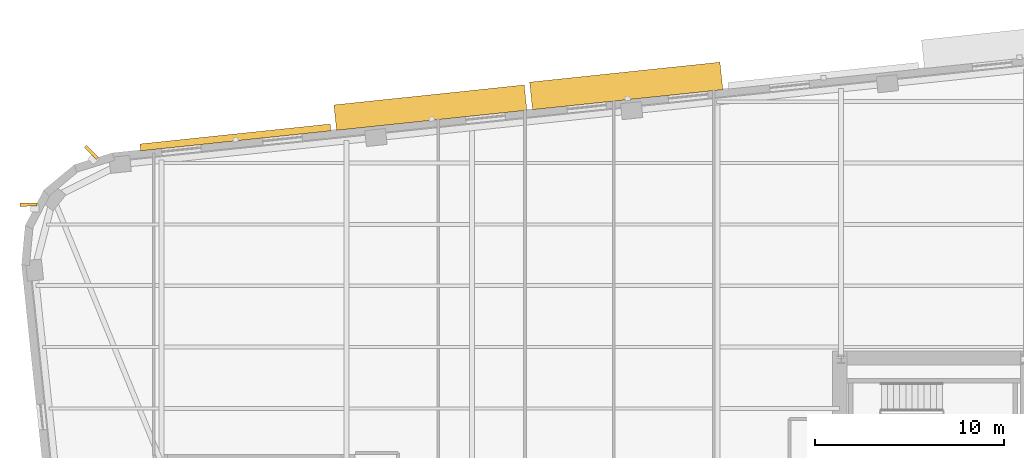
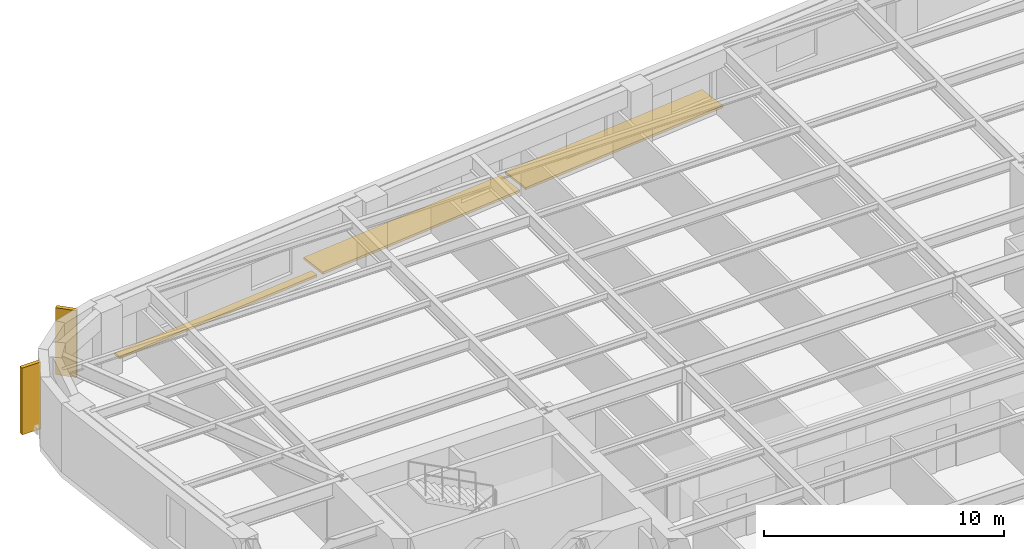
# One storey, part 13 of 15: 5 shading devices.
"""IFC4 building model written with IfcOpenShell, lengths in metres."""

from ifc_helpers import new_model, si_unit, direction, frame, origin, origin_2d, place, context, subcontext, project, spatial, rectangle, extrude, material, type_object, element, save


model = new_model("IFC4")

# Units and contexts
model_context = context("Model", 3, precision=1e-05, world=origin(), true_north=direction((0.0, 1.0)))
body_context = subcontext(model_context, "Body", "Model", "MODEL_VIEW")
ifc_project = project(units=[si_unit("LENGTHUNIT", "METRE"), si_unit("AREAUNIT", "SQUARE_METRE"), si_unit("VOLUMEUNIT", "CUBIC_METRE"), si_unit("PLANEANGLEUNIT", "RADIAN"), si_unit("MASSUNIT", "GRAM", prefix="KILO")], contexts=[model_context])

# Site, building, storey
site_placement = place(None, origin())
site = spatial("IfcSite", under=ifc_project, at=site_placement, CompositionType="ELEMENT")
building_placement = place(site_placement, origin())
building = spatial("IfcBuilding", under=site, at=building_placement, Name="Kolvaren Arena Tower", CompositionType="ELEMENT")
storey_placement = place(building_placement, frame((0.0, 0.0, 118.449951171875)))
storey = spatial("IfcBuildingStorey", under=building, at=storey_placement, Name="L27", CompositionType="ELEMENT", Elevation=118.449951171875)

# Shading devices
ifc_material_1 = material(Name="Precast architectural concrete C50/60 rib fin", Category="concrete")
shading_device_type_1 = type_object("IfcShadingDeviceType", Name="SHAD-FIN-28", PredefinedType="USERDEFINED", material=ifc_material_1)
for number, where, z_axis, x_axis, name in (
    (1, (10.82373046875, 50.31982421875, 0.02001953125), (0.0, 0.0, 1.0), (-0.710184146885, 0.704015963962, 0.0), "Precast 28-Deg Corner Rib Fin (L27)"),
    (2, (7.495361328125, 47.5517578125, 0.02001953125), (0.0, 0.0, 1.0), (-0.999990541547, -0.004349346783, 0.0), "Precast 28-Deg Corner Rib Fin (L27)"),
):
    element("IfcShadingDevice", number, at=place(storey_placement, frame(where, z_axis=z_axis, x_axis=x_axis)), inside=storey, type_object=shading_device_type_1, Name=name, ObjectType="FIN", PredefinedType="USERDEFINED", context=body_context, shape_type="SweptSolid", body=[
        extrude(rectangle(XDim=0.89990234375, YDim=0.179931640625, at=origin_2d()), origin(), (0.0, 0.0, 1.0), 3.39990234375),
    ])
ifc_material_2 = material(Name="Architectural precast GFRC and anodised aluminium sunshade", Category="concrete")
shading_device_type_2 = type_object("IfcShadingDeviceType", Name="SHAD-SINE-A", PredefinedType="USERDEFINED", material=ifc_material_2)
shading_device_1_placement = place(storey_placement, frame((18.45654296875, 51.108642578125, -0.139892578125), z_axis=(0.0, 0.0, 1.0), x_axis=(0.994522077803, 0.104526727499, 0.0)))
element("IfcShadingDevice", 3, at=shading_device_1_placement, inside=storey, type_object=shading_device_type_2, Name="Sinusoidal Slab-Edge Sunshade Louvre (L27)", ObjectType="LOUVRE", PredefinedType="USERDEFINED", context=body_context, shape_type="SweptSolid", body=[
    extrude(rectangle(XDim=10.139892578125, YDim=0.3681640625, at=origin_2d()), origin(), (0.0, 0.0, 1.0), 0.1201171875),
])
shading_device_type_3 = type_object("IfcShadingDeviceType", Name="SHAD-SINE-B", PredefinedType="JALOUSIE", material=ifc_material_2)
shading_device_2_placement = place(storey_placement, frame((28.7880859375, 52.68798828125, -0.139892578125), z_axis=(0.0, 0.0, 1.0), x_axis=(0.994522077803, 0.104526727499, 0.0)))
element("IfcShadingDevice", 4, at=shading_device_2_placement, inside=storey, type_object=shading_device_type_3, Name="Sinusoidal Slab-Edge Sunshade Louvre (L27)", PredefinedType="JALOUSIE", context=body_context, shape_type="SweptSolid", body=[
    extrude(rectangle(XDim=10.139892578125, YDim=1.349853515625, at=origin_2d()), origin(), (0.0, 0.0, 1.0), 0.1201171875),
])
shading_device_3_placement = place(storey_placement, frame((39.164794921875, 53.8369140625, -0.139892578125), z_axis=(0.0, 0.0, 1.0), x_axis=(0.994522077803, 0.104526727499, 0.0)))
element("IfcShadingDevice", 5, at=shading_device_3_placement, inside=storey, type_object=shading_device_type_3, Name="Sinusoidal Slab-Edge Sunshade Louvre (L27)", PredefinedType="JALOUSIE", context=body_context, shape_type="SweptSolid", body=[
    extrude(rectangle(XDim=10.139892578125, YDim=1.4658203125, at=origin_2d()), origin(), (0.0, 0.0, 1.0), 0.1201171875),
])

save(model, "model.ifc")
